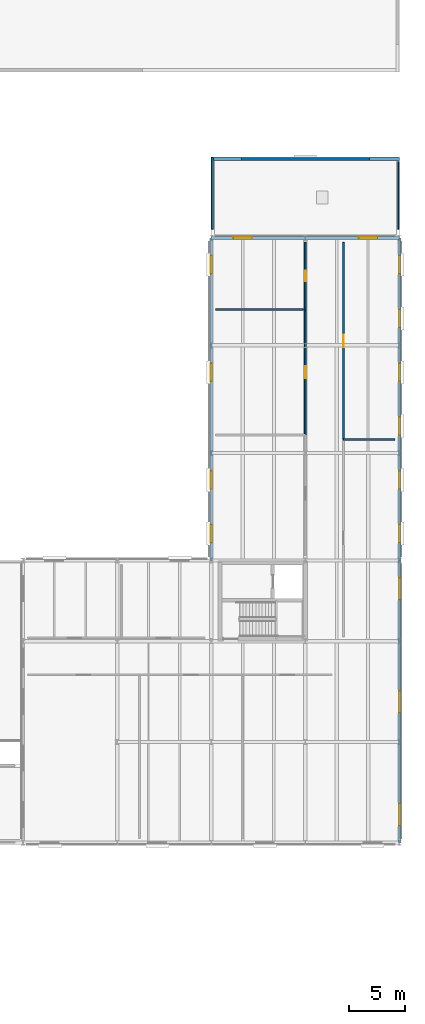
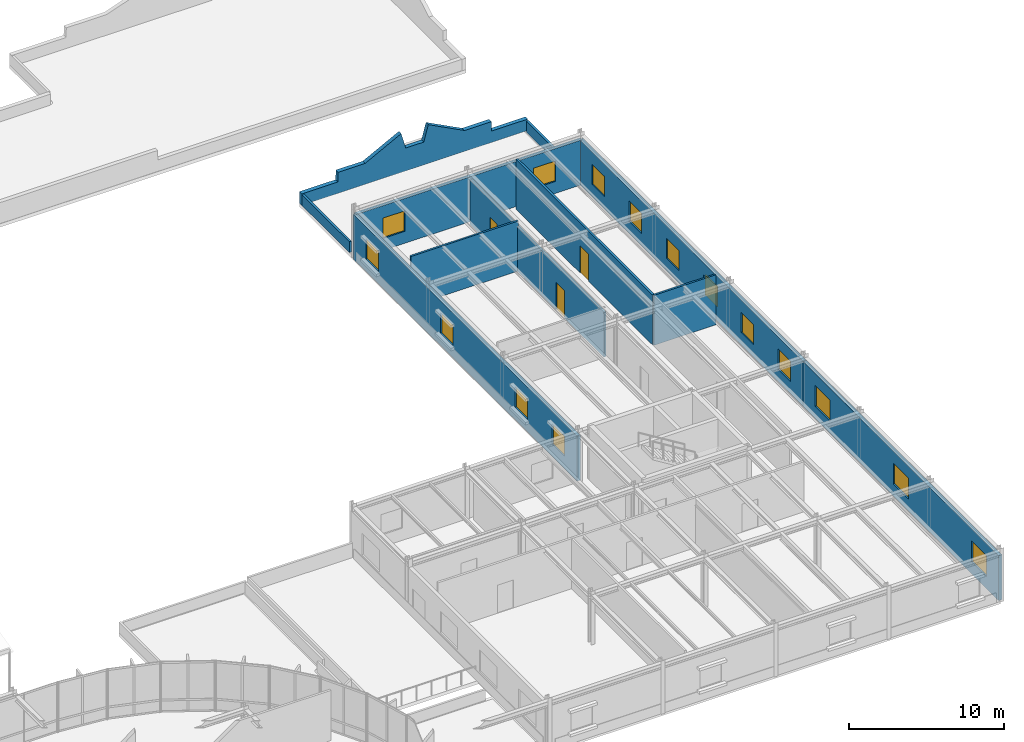
# One storey, part 58 of 69: 15 windows, 12 walls, 3 doors, 18 openings.
"""IFC4 building model written with IfcOpenShell, lengths in metres."""

import ifcopenshell
import ifcopenshell.guid

model = None  # the IFC model being written
_history = None  # IfcOwnerHistory: only IFC2X3 demands one
_inside = {}  # id of a spatial element -> (the spatial element, [elements in it])
_under = {}  # id of a project, library or spatial element -> (it, [spatial elements below it])
_declared = {}  # id of a project -> (the project, [libraries it declares])
_typed = {}  # id of a type object -> (the type object, [elements of that type])
_made_of = {}  # id of a material, layer set ... -> (it, [elements and type objects made of it])


def new_model(schema):
    """Start an empty IFC model of exactly this schema.

    Asked for "IFC4X3", IfcOpenShell would pick the latest addendum, in which some entities
    have other attributes; the version numbers below select the first issue.
    IFC2X3 requires an IfcOwnerHistory on every rooted entity: one is made here for all.
    """
    global model, _history
    if schema == "IFC4X3":
        model = ifcopenshell.file(schema_version=(4, 3, 0, 0))
    else:
        model = ifcopenshell.file(schema=schema)
    _inside.clear()
    _under.clear()
    _declared.clear()
    _typed.clear()
    _made_of.clear()
    _history = None
    if model.schema == "IFC2X3":
        org = make("IfcOrganization", Name="unknown")
        user = make(
            "IfcPersonAndOrganization",
            ThePerson=make("IfcPerson", FamilyName="unknown"),
            TheOrganization=org,
        )
        app = make(
            "IfcApplication",
            ApplicationDeveloper=org,
            Version="unknown",
            ApplicationFullName="unknown",
            ApplicationIdentifier="unknown",
        )
        _history = make(
            "IfcOwnerHistory",
            OwningUser=user,
            OwningApplication=app,
            ChangeAction="ADDED",
            CreationDate=0,
        )
    return model


def make(cls, **values):
    """One entity of the class cls with the attributes given. An attribute that is None is left unset."""
    return model.create_entity(
        cls, **{name: value for name, value in values.items() if value is not None}
    )


def rooted(cls, **values):
    """An entity with a GlobalId (a new one), such as an element, a storey or a relation."""
    return make(cls, GlobalId=ifcopenshell.guid.new(), OwnerHistory=_history, **values)


def si_unit(unit_type, name, prefix=None):
    """IfcSIUnit, for example si_unit("LENGTHUNIT", "METRE", prefix="MILLI")."""
    return make("IfcSIUnit", UnitType=unit_type, Prefix=prefix, Name=name)


def assignment(units):
    """IfcUnitAssignment: the units of a project."""
    return None if units is None else make("IfcUnitAssignment", Units=units)


def point(xyz):
    """IfcCartesianPoint."""
    return None if xyz is None else make("IfcCartesianPoint", Coordinates=xyz)


def direction(xyz):
    """IfcDirection."""
    return None if xyz is None else make("IfcDirection", DirectionRatios=xyz)


def frame(location, z_axis=None, x_axis=None):
    """IfcAxis2Placement3D, a coordinate frame: its origin and axes. An axis left out is left unset."""
    return make(
        "IfcAxis2Placement3D",
        Location=point(location),
        Axis=direction(z_axis),
        RefDirection=direction(x_axis),
    )


def frame_2d(location, x_axis=None):
    """IfcAxis2Placement2D, a coordinate frame in the plane: its origin and x axis."""
    return make(
        "IfcAxis2Placement2D", Location=point(location), RefDirection=direction(x_axis)
    )


def origin():
    """The frame at (0, 0, 0) with its axes left unset."""
    return frame((0.0, 0.0, 0.0))


def place(relative_to, where):
    """IfcLocalPlacement: puts the frame where relative to a parent placement (None: the world)."""
    return make(
        "IfcLocalPlacement", PlacementRelTo=relative_to, RelativePlacement=where
    )


def context(
    kind, dimensions, precision=None, world=None, true_north=None, identifier=None
):
    """IfcGeometricRepresentationContext, for example the 3D "Model" context."""
    return make(
        "IfcGeometricRepresentationContext",
        ContextIdentifier=identifier,
        ContextType=kind,
        CoordinateSpaceDimension=dimensions,
        Precision=precision,
        WorldCoordinateSystem=world,
        TrueNorth=true_north,
    )


def subcontext(parent, identifier, kind, view, scale=None):
    """IfcGeometricRepresentationSubContext, for example "Body" below "Model"."""
    return make(
        "IfcGeometricRepresentationSubContext",
        ContextIdentifier=identifier,
        ContextType=kind,
        ParentContext=parent,
        TargetScale=scale,
        TargetView=view,
    )


def project(units=None, contexts=None):
    """IfcProject with its units and contexts."""
    return rooted(
        "IfcProject",
        Name="project",
        RepresentationContexts=contexts,
        UnitsInContext=assignment(units),
    )


def spatial(cls, under=None, at=None, **own):
    """A site, building, storey or space (cls), placed at a placement, below another one or the project."""
    s = rooted(cls, ObjectPlacement=at, **own)
    if under is not None:
        _under.setdefault(under.id(), (under, []))[1].append(s)
    return s


def polyline(points):
    """IfcPolyline through the points."""
    return make("IfcPolyline", Points=[point(p) for p in points])


def profile(cls, at=None, kind="AREA", **sizes):
    """A parametric profile (cls). Its sizes go by their IFC names, for example OverallWidth=200.0."""
    return make(cls, ProfileType=kind, Position=at, **sizes)


def rectangle(**sizes):
    """IfcRectangleProfileDef."""
    return profile("IfcRectangleProfileDef", **sizes)


def outline(outer, holes=None, kind="AREA"):
    """IfcArbitraryClosedProfileDef: a profile drawn as a closed curve; with holes, ...WithVoids."""
    if holes is None:
        return make("IfcArbitraryClosedProfileDef", ProfileType=kind, OuterCurve=outer)
    return make(
        "IfcArbitraryProfileDefWithVoids",
        ProfileType=kind,
        OuterCurve=outer,
        InnerCurves=holes,
    )


def extrude(swept, where, along, depth):
    """IfcExtrudedAreaSolid: the profile swept, set in the frame where, extruded along a direction by depth."""
    return make(
        "IfcExtrudedAreaSolid",
        SweptArea=swept,
        Position=where,
        ExtrudedDirection=direction(along),
        Depth=depth,
    )


def shape(context_of_items, identifier, shape_type, items):
    """IfcShapeRepresentation: the items that make up one representation, for example the "Body"."""
    return make(
        "IfcShapeRepresentation",
        ContextOfItems=context_of_items,
        RepresentationIdentifier=identifier,
        RepresentationType=shape_type,
        Items=items,
    )


def material(Name=None, Category=None):
    """IfcMaterial."""
    return make("IfcMaterial", Name=Name, Category=Category)


def layer(
    of_material, thickness, ventilated=None, Name=None, Category=None, Priority=None
):
    """IfcMaterialLayer: one layer of a wall or slab, of a material (None: an air gap)."""
    return make(
        "IfcMaterialLayer",
        Material=of_material,
        LayerThickness=thickness,
        IsVentilated=ventilated,
        Name=Name,
        Category=Category,
        Priority=Priority,
    )


def layer_set(layers, Name=None):
    """IfcMaterialLayerSet."""
    return make("IfcMaterialLayerSet", MaterialLayers=layers, LayerSetName=Name)


def made_of(thing, what):
    """Note that an element or type object is made of a material, layer set ...; save() writes the relation."""
    if what is not None:
        _made_of.setdefault(what.id(), (what, []))[1].append(thing)
    return thing


def type_object(cls, material=None, **own):
    """A type object (cls), such as IfcWallType, which elements share."""
    return made_of(rooted(cls, **own), material)


def element(
    cls,
    number,
    at=None,
    inside=None,
    cuts=None,
    type_object=None,
    material=None,
    context=None,
    identifier="Body",
    shape_type=None,
    held_by="IfcProductDefinitionShape",
    body=None,
    shapes=None,
    **own,
):
    """One element of the class cls, such as IfcWall. Its Tag is "e" and its number.

    at: its placement. inside: the storey or other place that contains it. cuts: it is an
    opening in that element (IfcRelVoidsElement). A single representation is given by context,
    identifier, shape_type and body (its items); several are given by shapes. held_by: the class
    of the entity that holds the representations. save() writes the other relations.
    """
    e = rooted(cls, Tag="e%d" % number, ObjectPlacement=at, **own)
    if body is not None:
        shapes = [shape(context, identifier, shape_type, body)]
    if shapes is not None:
        e.Representation = make(held_by, Representations=shapes)
    if inside is not None:
        _inside.setdefault(inside.id(), (inside, []))[1].append(e)
    if cuts is not None:
        rooted(
            "IfcRelVoidsElement", RelatingBuildingElement=cuts, RelatedOpeningElement=e
        )
    if type_object is not None:
        _typed.setdefault(type_object.id(), (type_object, []))[1].append(e)
    return made_of(e, material)


def fill(opening, filler):
    """IfcRelFillsElement: the door or window that sits in an opening."""
    return rooted(
        "IfcRelFillsElement",
        RelatingOpeningElement=opening,
        RelatedBuildingElement=filler,
    )


def aggregate(whole, parts):
    """IfcRelAggregates: a whole, such as a stair, and the parts it consists of."""
    return rooted("IfcRelAggregates", RelatingObject=whole, RelatedObjects=parts)


def save(model, path):
    """Write the relations noted so far, then the file.

    IfcRelAggregates (storeys below a building ...), IfcRelContainedInSpatialStructure (elements
    in a storey), IfcRelDefinesByType, IfcRelAssociatesMaterial and IfcRelDeclares: one each for
    every whole, place, type object, material and project.
    """
    for whole, parts in _under.values():
        aggregate(whole, parts)
    for where, things in _inside.values():
        rooted(
            "IfcRelContainedInSpatialStructure",
            RelatedElements=things,
            RelatingStructure=where,
        )
    for kind, things in _typed.values():
        rooted("IfcRelDefinesByType", RelatedObjects=things, RelatingType=kind)
    for what, things in _made_of.values():
        rooted("IfcRelAssociatesMaterial", RelatedObjects=things, RelatingMaterial=what)
    for by, libraries in _declared.values():
        rooted("IfcRelDeclares", RelatingContext=by, RelatedDefinitions=libraries)
    model.write(path)


model = new_model("IFC4")

# Units and contexts
model_context = context("Model", 3, precision=1e-05, world=origin(), true_north=direction((0.0, 1.0)))
body_context = subcontext(model_context, "Body", "Model", "MODEL_VIEW")
ifc_project = project(units=[si_unit("LENGTHUNIT", "METRE"), si_unit("AREAUNIT", "SQUARE_METRE"), si_unit("VOLUMEUNIT", "CUBIC_METRE"), si_unit("PLANEANGLEUNIT", "RADIAN"), si_unit("MASSUNIT", "GRAM", prefix="KILO")], contexts=[model_context])

# Site, building, storey
site_placement = place(None, origin())
site = spatial("IfcSite", under=ifc_project, at=site_placement, CompositionType="ELEMENT")
building_placement = place(site_placement, origin())
building = spatial("IfcBuilding", under=site, at=building_placement, Name="Montealbar Specialist Clinic", CompositionType="ELEMENT")
storey_placement = place(building_placement, frame((0.0, 0.0, 9.60009765625)))
storey = spatial("IfcBuildingStorey", under=building, at=storey_placement, Name="L02", CompositionType="ELEMENT", Elevation=9.60009765625)

# Wall, openings, windows
ifc_material_1 = material(Name="Terracotta architectural cladding", Category="masonry")
ifc_layer_1 = layer(ifc_material_1, 0.260009765625, Name="Terracotta architectural cladding", Category="masonry")
ifc_layer_set_1 = layer_set([ifc_layer_1], Name="Terracotta architectural cladding")
wall_type_1 = type_object("IfcWallType", Name="WL-EXT-TERRA-260", PredefinedType="SOLIDWALL", material=ifc_layer_set_1)
wall_1_placement = place(storey_placement, frame((145.199951171875, 52.199951171875, 0.0), z_axis=(0.0, 0.0, 1.0), x_axis=(0.0, 1.0, 0.0)))
wall_1 = element("IfcWall", 1, at=wall_1_placement, inside=storey, type_object=wall_type_1, Name="Exterior Facade Wall EW-L02-049", PredefinedType="SOLIDWALL", context=body_context, shape_type="SweptSolid", body=[
    extrude(rectangle(XDim=28.800048828125, YDim=0.260009765625, at=frame_2d((14.39990234375, 0.0))), origin(), (0.0, 0.0, 1.0), 3.52978515625),
])
opening_1_placement = place(wall_1_placement, frame((1.60009765625, 0.0, 0.965087890625)))
opening_1 = element("IfcOpeningElement", 2, at=opening_1_placement, cuts=wall_1, Name="Opening WN-19", PredefinedType="OPENING", context=body_context, shape_type="SweptSolid", body=[
    extrude(rectangle(XDim=1.60009765625, YDim=1.60009765625, at=frame_2d((0.800048828125, 0.800048828125))), frame((0.0, 0.139892578125, 0.0), z_axis=(0.0, -1.0, 0.0), x_axis=(1.0, 0.0, 0.0)), (0.0, 0.0, 1.0), 0.280029296875),
])
opening_2_placement = place(wall_1_placement, frame((6.39990234375, 0.0, 0.965087890625)))
opening_2 = element("IfcOpeningElement", 3, at=opening_2_placement, cuts=wall_1, Name="Opening WN-19", PredefinedType="OPENING", context=body_context, shape_type="SweptSolid", body=[
    extrude(rectangle(XDim=1.60009765625, YDim=1.60009765625, at=frame_2d((0.800048828125, 0.800048828125))), frame((0.0, 0.139892578125, 0.0), z_axis=(0.0, -1.0, 0.0), x_axis=(1.0, 0.0, 0.0)), (0.0, 0.0, 1.0), 0.280029296875),
])
opening_3_placement = place(wall_1_placement, frame((16.0, 0.0, 0.965087890625)))
opening_3 = element("IfcOpeningElement", 4, at=opening_3_placement, cuts=wall_1, Name="Opening WN-19", PredefinedType="OPENING", context=body_context, shape_type="SweptSolid", body=[
    extrude(rectangle(XDim=1.60009765625, YDim=1.60009765625, at=frame_2d((0.800048828125, 0.800048828125))), frame((0.0, 0.139892578125, 0.0), z_axis=(0.0, -1.0, 0.0), x_axis=(1.0, 0.0, 0.0)), (0.0, 0.0, 1.0), 0.280029296875),
])
opening_4_placement = place(wall_1_placement, frame((25.60009765625, 0.0, 0.965087890625)))
opening_4 = element("IfcOpeningElement", 5, at=opening_4_placement, cuts=wall_1, Name="Opening WN-19", PredefinedType="OPENING", context=body_context, shape_type="SweptSolid", body=[
    extrude(rectangle(XDim=1.60009765625, YDim=1.60009765625, at=frame_2d((0.800048828125, 0.800048828125))), frame((0.0, 0.139892578125, 0.0), z_axis=(0.0, -1.0, 0.0), x_axis=(1.0, 0.0, 0.0)), (0.0, 0.0, 1.0), 0.280029296875),
])
ifc_material_2 = material(Name="Low-E double glazing", Category="glass")
window_type_1 = type_object("IfcWindowType", Name="WIN-WN-19", PartitioningType="SINGLE_PANEL", PredefinedType="WINDOW", material=ifc_material_2)
window_1_placement = place(opening_1_placement, origin())
window_1 = element("IfcWindow", 6, at=window_1_placement, inside=storey, type_object=window_type_1, Name="Clinical Facade Postmodern Oculus Window WN-19 L02-0176", OverallHeight=1.60009765625, OverallWidth=1.60009765625, PartitioningType="SINGLE_PANEL", PredefinedType="WINDOW", context=body_context, shape_type="SweptSolid", body=[
    extrude(rectangle(XDim=1.60009765625, YDim=1.60009765625, at=frame_2d((0.800048828125, 0.800048828125))), frame((0.0, 0.030029296875, 0.0), z_axis=(0.0, -1.0, 0.0), x_axis=(1.0, 0.0, 0.0)), (0.0, 0.0, 1.0), 0.06005859375),
])
fill(opening_1, window_1)
window_2_placement = place(opening_2_placement, origin())
window_2 = element("IfcWindow", 7, at=window_2_placement, inside=storey, type_object=window_type_1, Name="Clinical Facade Postmodern Oculus Window WN-19 L02-0177", OverallHeight=1.60009765625, OverallWidth=1.60009765625, PartitioningType="SINGLE_PANEL", PredefinedType="WINDOW", context=body_context, shape_type="SweptSolid", body=[
    extrude(rectangle(XDim=1.60009765625, YDim=1.60009765625, at=frame_2d((0.800048828125, 0.800048828125))), frame((0.0, 0.030029296875, 0.0), z_axis=(0.0, -1.0, 0.0), x_axis=(1.0, 0.0, 0.0)), (0.0, 0.0, 1.0), 0.06005859375),
])
fill(opening_2, window_2)
window_3_placement = place(opening_3_placement, origin())
window_3 = element("IfcWindow", 8, at=window_3_placement, inside=storey, type_object=window_type_1, Name="Clinical Facade Postmodern Oculus Window WN-19 L02-0178", OverallHeight=1.60009765625, OverallWidth=1.60009765625, PartitioningType="SINGLE_PANEL", PredefinedType="WINDOW", context=body_context, shape_type="SweptSolid", body=[
    extrude(rectangle(XDim=1.60009765625, YDim=1.60009765625, at=frame_2d((0.800048828125, 0.800048828125))), frame((0.0, 0.030029296875, 0.0), z_axis=(0.0, -1.0, 0.0), x_axis=(1.0, 0.0, 0.0)), (0.0, 0.0, 1.0), 0.06005859375),
])
fill(opening_3, window_3)
window_4_placement = place(opening_4_placement, origin())
window_4 = element("IfcWindow", 9, at=window_4_placement, inside=storey, type_object=window_type_1, Name="Clinical Facade Postmodern Oculus Window WN-19 L02-0179", OverallHeight=1.60009765625, OverallWidth=1.60009765625, PartitioningType="SINGLE_PANEL", PredefinedType="WINDOW", context=body_context, shape_type="SweptSolid", body=[
    extrude(rectangle(XDim=1.60009765625, YDim=1.60009765625, at=frame_2d((0.800048828125, 0.800048828125))), frame((0.0, 0.030029296875, 0.0), z_axis=(0.0, -1.0, 0.0), x_axis=(1.0, 0.0, 0.0)), (0.0, 0.0, 1.0), 0.06005859375),
])
fill(opening_4, window_4)

wall_2_placement = place(storey_placement, frame((145.199951171875, 81.0, 0.0), z_axis=(0.0, 0.0, 1.0), x_axis=(1.0, 0.0, 0.0)))
wall_2 = element("IfcWall", 10, at=wall_2_placement, inside=storey, type_object=wall_type_1, Name="Exterior Facade Wall EW-L02-050", PredefinedType="SOLIDWALL", context=body_context, shape_type="SweptSolid", body=[
    extrude(rectangle(XDim=16.800048828125, YDim=0.260009765625, at=frame_2d((8.39990234375, 0.0))), origin(), (0.0, 0.0, 1.0), 3.52978515625),
])
opening_5_placement = place(wall_2_placement, frame((1.97509765625, 0.0, 0.949951171875)))
opening_5 = element("IfcOpeningElement", 11, at=opening_5_placement, cuts=wall_2, Name="Opening WN-04", PredefinedType="OPENING", context=body_context, shape_type="SweptSolid", body=[
    extrude(rectangle(XDim=1.64990234375, YDim=1.60009765625, at=frame_2d((0.824951171875, 0.800048828125))), frame((0.0, 0.139892578125, 0.0), z_axis=(0.0, -1.0, 0.0), x_axis=(1.0, 0.0, 0.0)), (0.0, 0.0, 1.0), 0.280029296875),
])
opening_6_placement = place(wall_2_placement, frame((13.175048828125, 0.0, 0.949951171875)))
opening_6 = element("IfcOpeningElement", 12, at=opening_6_placement, cuts=wall_2, Name="Opening WN-04", PredefinedType="OPENING", context=body_context, shape_type="SweptSolid", body=[
    extrude(rectangle(XDim=1.64990234375, YDim=1.60009765625, at=frame_2d((0.824951171875, 0.800048828125))), frame((0.0, 0.139892578125, 0.0), z_axis=(0.0, -1.0, 0.0), x_axis=(1.0, 0.0, 0.0)), (0.0, 0.0, 1.0), 0.280029296875),
])
window_type_2 = type_object("IfcWindowType", Name="WIN-WN-04", PartitioningType="SINGLE_PANEL", PredefinedType="WINDOW", material=ifc_material_2)
window_5_placement = place(opening_5_placement, origin())
window_5 = element("IfcWindow", 13, at=window_5_placement, inside=storey, type_object=window_type_2, Name="Clinical Facade Window WN-04 L02-0180", OverallHeight=1.60009765625, OverallWidth=1.64990234375, PartitioningType="SINGLE_PANEL", PredefinedType="WINDOW", context=body_context, shape_type="SweptSolid", body=[
    extrude(rectangle(XDim=1.64990234375, YDim=1.60009765625, at=frame_2d((0.824951171875, 0.800048828125))), frame((0.0, 0.030029296875, 0.0), z_axis=(0.0, -1.0, 0.0), x_axis=(1.0, 0.0, 0.0)), (0.0, 0.0, 1.0), 0.06005859375),
])
fill(opening_5, window_5)
window_6_placement = place(opening_6_placement, origin())
window_6 = element("IfcWindow", 14, at=window_6_placement, inside=storey, type_object=window_type_2, Name="Clinical Facade Window WN-04 L02-0181", OverallHeight=1.60009765625, OverallWidth=1.64990234375, PartitioningType="SINGLE_PANEL", PredefinedType="WINDOW", context=body_context, shape_type="SweptSolid", body=[
    extrude(rectangle(XDim=1.64990234375, YDim=1.60009765625, at=frame_2d((0.824951171875, 0.800048828125))), frame((0.0, 0.030029296875, 0.0), z_axis=(0.0, -1.0, 0.0), x_axis=(1.0, 0.0, 0.0)), (0.0, 0.0, 1.0), 0.06005859375),
])
fill(opening_6, window_6)

wall_3_placement = place(storey_placement, frame((162.0, 81.0, 0.0), z_axis=(0.0, 0.0, 1.0), x_axis=(0.0, -1.0, 0.0)))
wall_3 = element("IfcWall", 15, at=wall_3_placement, inside=storey, type_object=wall_type_1, Name="Exterior Facade Wall EW-L02-051", PredefinedType="SOLIDWALL", context=body_context, shape_type="SweptSolid", body=[
    extrude(rectangle(XDim=28.800048828125, YDim=0.260009765625, at=frame_2d((14.39990234375, 0.0))), origin(), (0.0, 0.0, 1.0), 3.52978515625),
])
opening_7_placement = place(wall_3_placement, frame((1.60009765625, 0.0, 0.965087890625)))
opening_7 = element("IfcOpeningElement", 16, at=opening_7_placement, cuts=wall_3, Name="Opening WN-19", PredefinedType="OPENING", context=body_context, shape_type="SweptSolid", body=[
    extrude(rectangle(XDim=1.60009765625, YDim=1.60009765625, at=frame_2d((0.800048828125, 0.800048828125))), frame((0.0, 0.139892578125, 0.0), z_axis=(0.0, -1.0, 0.0), x_axis=(1.0, 0.0, 0.0)), (0.0, 0.0, 1.0), 0.280029296875),
])
opening_8_placement = place(wall_3_placement, frame((6.39990234375, 0.0, 0.965087890625)))
opening_8 = element("IfcOpeningElement", 17, at=opening_8_placement, cuts=wall_3, Name="Opening WN-19", PredefinedType="OPENING", context=body_context, shape_type="SweptSolid", body=[
    extrude(rectangle(XDim=1.60009765625, YDim=1.60009765625, at=frame_2d((0.800048828125, 0.800048828125))), frame((0.0, 0.139892578125, 0.0), z_axis=(0.0, -1.0, 0.0), x_axis=(1.0, 0.0, 0.0)), (0.0, 0.0, 1.0), 0.280029296875),
])
opening_9_placement = place(wall_3_placement, frame((11.199951171875, 0.0, 0.965087890625)))
opening_9 = element("IfcOpeningElement", 18, at=opening_9_placement, cuts=wall_3, Name="Opening WN-19", PredefinedType="OPENING", context=body_context, shape_type="SweptSolid", body=[
    extrude(rectangle(XDim=1.60009765625, YDim=1.60009765625, at=frame_2d((0.800048828125, 0.800048828125))), frame((0.0, 0.139892578125, 0.0), z_axis=(0.0, -1.0, 0.0), x_axis=(1.0, 0.0, 0.0)), (0.0, 0.0, 1.0), 0.280029296875),
])
opening_10_placement = place(wall_3_placement, frame((16.0, 0.0, 0.965087890625)))
opening_10 = element("IfcOpeningElement", 19, at=opening_10_placement, cuts=wall_3, Name="Opening WN-19", PredefinedType="OPENING", context=body_context, shape_type="SweptSolid", body=[
    extrude(rectangle(XDim=1.60009765625, YDim=1.60009765625, at=frame_2d((0.800048828125, 0.800048828125))), frame((0.0, 0.139892578125, 0.0), z_axis=(0.0, -1.0, 0.0), x_axis=(1.0, 0.0, 0.0)), (0.0, 0.0, 1.0), 0.280029296875),
])
opening_11_placement = place(wall_3_placement, frame((20.800048828125, 0.0, 0.965087890625)))
opening_11 = element("IfcOpeningElement", 20, at=opening_11_placement, cuts=wall_3, Name="Opening WN-19", PredefinedType="OPENING", context=body_context, shape_type="SweptSolid", body=[
    extrude(rectangle(XDim=1.60009765625, YDim=1.60009765625, at=frame_2d((0.800048828125, 0.800048828125))), frame((0.0, 0.139892578125, 0.0), z_axis=(0.0, -1.0, 0.0), x_axis=(1.0, 0.0, 0.0)), (0.0, 0.0, 1.0), 0.280029296875),
])
opening_12_placement = place(wall_3_placement, frame((25.60009765625, 0.0, 0.965087890625)))
opening_12 = element("IfcOpeningElement", 21, at=opening_12_placement, cuts=wall_3, Name="Opening WN-19", PredefinedType="OPENING", context=body_context, shape_type="SweptSolid", body=[
    extrude(rectangle(XDim=1.60009765625, YDim=1.60009765625, at=frame_2d((0.800048828125, 0.800048828125))), frame((0.0, 0.139892578125, 0.0), z_axis=(0.0, -1.0, 0.0), x_axis=(1.0, 0.0, 0.0)), (0.0, 0.0, 1.0), 0.280029296875),
])
window_7_placement = place(opening_7_placement, origin())
window_7 = element("IfcWindow", 22, at=window_7_placement, inside=storey, type_object=window_type_1, Name="Clinical Facade Postmodern Oculus Window WN-19 L02-0182", OverallHeight=1.60009765625, OverallWidth=1.60009765625, PartitioningType="SINGLE_PANEL", PredefinedType="WINDOW", context=body_context, shape_type="SweptSolid", body=[
    extrude(rectangle(XDim=1.60009765625, YDim=1.60009765625, at=frame_2d((0.800048828125, 0.800048828125))), frame((0.0, 0.030029296875, 0.0), z_axis=(0.0, -1.0, 0.0), x_axis=(1.0, 0.0, 0.0)), (0.0, 0.0, 1.0), 0.06005859375),
])
fill(opening_7, window_7)
window_8_placement = place(opening_8_placement, origin())
window_8 = element("IfcWindow", 23, at=window_8_placement, inside=storey, type_object=window_type_1, Name="Clinical Facade Postmodern Oculus Window WN-19 L02-0183", OverallHeight=1.60009765625, OverallWidth=1.60009765625, PartitioningType="SINGLE_PANEL", PredefinedType="WINDOW", context=body_context, shape_type="SweptSolid", body=[
    extrude(rectangle(XDim=1.60009765625, YDim=1.60009765625, at=frame_2d((0.800048828125, 0.800048828125))), frame((0.0, 0.030029296875, 0.0), z_axis=(0.0, -1.0, 0.0), x_axis=(1.0, 0.0, 0.0)), (0.0, 0.0, 1.0), 0.06005859375),
])
fill(opening_8, window_8)
window_9_placement = place(opening_9_placement, origin())
window_9 = element("IfcWindow", 24, at=window_9_placement, inside=storey, type_object=window_type_1, Name="Clinical Facade Postmodern Oculus Window WN-19 L02-0184", OverallHeight=1.60009765625, OverallWidth=1.60009765625, PartitioningType="SINGLE_PANEL", PredefinedType="WINDOW", context=body_context, shape_type="SweptSolid", body=[
    extrude(rectangle(XDim=1.60009765625, YDim=1.60009765625, at=frame_2d((0.800048828125, 0.800048828125))), frame((0.0, 0.030029296875, 0.0), z_axis=(0.0, -1.0, 0.0), x_axis=(1.0, 0.0, 0.0)), (0.0, 0.0, 1.0), 0.06005859375),
])
fill(opening_9, window_9)
window_10_placement = place(opening_10_placement, origin())
window_10 = element("IfcWindow", 25, at=window_10_placement, inside=storey, type_object=window_type_1, Name="Clinical Facade Postmodern Oculus Window WN-19 L02-0185", OverallHeight=1.60009765625, OverallWidth=1.60009765625, PartitioningType="SINGLE_PANEL", PredefinedType="WINDOW", context=body_context, shape_type="SweptSolid", body=[
    extrude(rectangle(XDim=1.60009765625, YDim=1.60009765625, at=frame_2d((0.800048828125, 0.800048828125))), frame((0.0, 0.030029296875, 0.0), z_axis=(0.0, -1.0, 0.0), x_axis=(1.0, 0.0, 0.0)), (0.0, 0.0, 1.0), 0.06005859375),
])
fill(opening_10, window_10)
window_11_placement = place(opening_11_placement, origin())
window_11 = element("IfcWindow", 26, at=window_11_placement, inside=storey, type_object=window_type_1, Name="Clinical Facade Postmodern Oculus Window WN-19 L02-0186", OverallHeight=1.60009765625, OverallWidth=1.60009765625, PartitioningType="SINGLE_PANEL", PredefinedType="WINDOW", context=body_context, shape_type="SweptSolid", body=[
    extrude(rectangle(XDim=1.60009765625, YDim=1.60009765625, at=frame_2d((0.800048828125, 0.800048828125))), frame((0.0, 0.030029296875, 0.0), z_axis=(0.0, -1.0, 0.0), x_axis=(1.0, 0.0, 0.0)), (0.0, 0.0, 1.0), 0.06005859375),
])
fill(opening_11, window_11)
window_12_placement = place(opening_12_placement, origin())
window_12 = element("IfcWindow", 27, at=window_12_placement, inside=storey, type_object=window_type_1, Name="Clinical Facade Postmodern Oculus Window WN-19 L02-0187", OverallHeight=1.60009765625, OverallWidth=1.60009765625, PartitioningType="SINGLE_PANEL", PredefinedType="WINDOW", context=body_context, shape_type="SweptSolid", body=[
    extrude(rectangle(XDim=1.60009765625, YDim=1.60009765625, at=frame_2d((0.800048828125, 0.800048828125))), frame((0.0, 0.030029296875, 0.0), z_axis=(0.0, -1.0, 0.0), x_axis=(1.0, 0.0, 0.0)), (0.0, 0.0, 1.0), 0.06005859375),
])
fill(opening_12, window_12)

wall_4_placement = place(storey_placement, frame((162.0, 52.199951171875, 0.0), z_axis=(0.0, 0.0, 1.0), x_axis=(0.0, -1.0, 0.0)))
wall_4 = element("IfcWall", 28, at=wall_4_placement, inside=storey, type_object=wall_type_1, Name="Exterior Facade Wall EW-L02-052", PredefinedType="SOLIDWALL", context=body_context, shape_type="SweptSolid", body=[
    extrude(rectangle(XDim=25.199951171875, YDim=0.260009765625, at=frame_2d((12.60009765625, 0.0))), origin(), (0.0, 0.0, 1.0), 3.52978515625),
])
opening_13_placement = place(wall_4_placement, frame((1.544921875, 0.0, 0.949951171875)))
opening_13 = element("IfcOpeningElement", 29, at=opening_13_placement, cuts=wall_4, Name="Opening WN-06", PredefinedType="OPENING", context=body_context, shape_type="SweptSolid", body=[
    extrude(rectangle(XDim=1.949951171875, YDim=1.64990234375, at=frame_2d((0.97509765625, 0.824951171875))), frame((0.0, 0.139892578125, 0.0), z_axis=(0.0, -1.0, 0.0), x_axis=(1.0, 0.0, 0.0)), (0.0, 0.0, 1.0), 0.280029296875),
])
opening_14_placement = place(wall_4_placement, frame((11.625, 0.0, 0.949951171875)))
opening_14 = element("IfcOpeningElement", 30, at=opening_14_placement, cuts=wall_4, Name="Opening WN-06", PredefinedType="OPENING", context=body_context, shape_type="SweptSolid", body=[
    extrude(rectangle(XDim=1.949951171875, YDim=1.64990234375, at=frame_2d((0.97509765625, 0.824951171875))), frame((0.0, 0.139892578125, 0.0), z_axis=(0.0, -1.0, 0.0), x_axis=(1.0, 0.0, 0.0)), (0.0, 0.0, 1.0), 0.280029296875),
])
opening_15_placement = place(wall_4_placement, frame((21.705078125, 0.0, 0.949951171875)))
opening_15 = element("IfcOpeningElement", 31, at=opening_15_placement, cuts=wall_4, Name="Opening WN-06", PredefinedType="OPENING", context=body_context, shape_type="SweptSolid", body=[
    extrude(rectangle(XDim=1.949951171875, YDim=1.64990234375, at=frame_2d((0.97509765625, 0.824951171875))), frame((0.0, 0.139892578125, 0.0), z_axis=(0.0, -1.0, 0.0), x_axis=(1.0, 0.0, 0.0)), (0.0, 0.0, 1.0), 0.280029296875),
])
window_type_3 = type_object("IfcWindowType", Name="WIN-WN-06", PartitioningType="SINGLE_PANEL", PredefinedType="WINDOW", material=ifc_material_2)
window_13_placement = place(opening_13_placement, origin())
window_13 = element("IfcWindow", 32, at=window_13_placement, inside=storey, type_object=window_type_3, Name="Clinical Facade Window WN-06 L02-0188", OverallHeight=1.64990234375, OverallWidth=1.949951171875, PartitioningType="SINGLE_PANEL", PredefinedType="WINDOW", context=body_context, shape_type="SweptSolid", body=[
    extrude(rectangle(XDim=1.949951171875, YDim=1.64990234375, at=frame_2d((0.97509765625, 0.824951171875))), frame((0.0, 0.030029296875, 0.0), z_axis=(0.0, -1.0, 0.0), x_axis=(1.0, 0.0, 0.0)), (0.0, 0.0, 1.0), 0.06005859375),
])
fill(opening_13, window_13)
window_14_placement = place(opening_14_placement, origin())
window_14 = element("IfcWindow", 33, at=window_14_placement, inside=storey, type_object=window_type_3, Name="Clinical Facade Window WN-06 L02-0189", OverallHeight=1.64990234375, OverallWidth=1.949951171875, PartitioningType="SINGLE_PANEL", PredefinedType="WINDOW", context=body_context, shape_type="SweptSolid", body=[
    extrude(rectangle(XDim=1.949951171875, YDim=1.64990234375, at=frame_2d((0.97509765625, 0.824951171875))), frame((0.0, 0.030029296875, 0.0), z_axis=(0.0, -1.0, 0.0), x_axis=(1.0, 0.0, 0.0)), (0.0, 0.0, 1.0), 0.06005859375),
])
fill(opening_14, window_14)
window_15_placement = place(opening_15_placement, origin())
window_15 = element("IfcWindow", 34, at=window_15_placement, inside=storey, type_object=window_type_3, Name="Clinical Facade Window WN-06 L02-0190", OverallHeight=1.64990234375, OverallWidth=1.949951171875, PartitioningType="SINGLE_PANEL", PredefinedType="WINDOW", context=body_context, shape_type="SweptSolid", body=[
    extrude(rectangle(XDim=1.949951171875, YDim=1.64990234375, at=frame_2d((0.97509765625, 0.824951171875))), frame((0.0, 0.030029296875, 0.0), z_axis=(0.0, -1.0, 0.0), x_axis=(1.0, 0.0, 0.0)), (0.0, 0.0, 1.0), 0.06005859375),
])
fill(opening_15, window_15)

# Walls
ifc_material_3 = material(Name="Guadarrama granite ashlar", Category="masonry")
ifc_layer_2 = layer(ifc_material_3, 0.159912109375, Name="Guadarrama granite ashlar", Category="masonry")
ifc_layer_set_2 = layer_set([ifc_layer_2], Name="Guadarrama granite ashlar")
wall_type_2 = type_object("IfcWallType", Name="WL-PARAPET-160", PredefinedType="PARAPET", material=ifc_layer_set_2)
wall_5_placement = place(storey_placement, frame((145.280029296875, 81.75, 0.0), z_axis=(0.0, 0.0, 1.0), x_axis=(0.0, 1.0, 0.0)))
element("IfcWall", 35, at=wall_5_placement, inside=storey, type_object=wall_type_2, Name="Roof Parapet L02-019", PredefinedType="PARAPET", context=body_context, shape_type="SweptSolid", body=[
    extrude(rectangle(XDim=6.449951171875, YDim=0.159912109375, at=frame_2d((3.22509765625, 0.0))), origin(), (0.0, 0.0, 1.0), 0.849853515625),
])
wall_6_placement = place(storey_placement, frame((161.919921875, 87.784912109375, 0.0), z_axis=(0.0, 0.0, 1.0), x_axis=(0.0, -1.0, 0.0)))
element("IfcWall", 36, at=wall_6_placement, inside=storey, type_object=wall_type_2, Name="Roof Parapet L02-021", PredefinedType="PARAPET", context=body_context, shape_type="SweptSolid", body=[
    extrude(rectangle(XDim=6.034912109375, YDim=0.159912109375, at=frame_2d((3.017578125, 0.0))), origin(), (0.0, 0.0, 1.0), 0.849853515625),
])
ifc_material_4 = material(Name="Gypsum acoustic partition", Category="gypsum")
ifc_layer_3 = layer(ifc_material_4, 0.139892578125, Name="Gypsum acoustic partition", Category="gypsum")
ifc_layer_set_3 = layer_set([ifc_layer_3], Name="Gypsum acoustic partition")
wall_type_3 = type_object("IfcWallType", Name="WL-PART-ACOUSTIC-140", PredefinedType="PARTITIONING", material=ifc_layer_set_3)
wall_7_placement = place(storey_placement, frame((145.60009765625, 74.60009765625, 0.0), z_axis=(0.0, 0.0, 1.0), x_axis=(1.0, 0.0, 0.0)))
element("IfcWall", 37, at=wall_7_placement, inside=storey, type_object=wall_type_3, Name="Clinical Partition PART-L02-0160", PredefinedType="PARTITIONING", context=body_context, shape_type="SweptSolid", body=[
    extrude(rectangle(XDim=8.0, YDim=0.139892578125, at=frame_2d((4.0, 0.0))), origin(), (0.0, 0.0, 1.0), 3.929931640625),
])
wall_8_placement = place(storey_placement, frame((157.0, 63.0, 0.0), z_axis=(0.0, 0.0, 1.0), x_axis=(1.0, 0.0, 0.0)))
element("IfcWall", 38, at=wall_8_placement, inside=storey, type_object=wall_type_3, Name="Clinical Partition PART-L02-0163", PredefinedType="PARTITIONING", context=body_context, shape_type="SweptSolid", body=[
    extrude(rectangle(XDim=4.60009765625, YDim=0.139892578125, at=frame_2d((2.300048828125, 0.0))), origin(), (0.0, 0.0, 1.0), 3.929931640625),
])

# Wall, opening, door
ifc_layer_4 = layer(ifc_material_4, 0.159912109375, Name="Gypsum acoustic partition", Category="gypsum")
ifc_layer_set_4 = layer_set([ifc_layer_4], Name="Gypsum acoustic partition")
wall_type_4 = type_object("IfcWallType", Name="WL-PART-CLINIC-160", PredefinedType="PARTITIONING", material=ifc_layer_set_4)
wall_9_placement = place(storey_placement, frame((153.60009765625, 63.39990234375, 0.0), z_axis=(0.0, 0.0, 1.0), x_axis=(0.0, 1.0, 0.0)))
wall_9 = element("IfcWall", 39, at=wall_9_placement, inside=storey, type_object=wall_type_4, Name="Clinical Partition PART-L02-0159", PredefinedType="PARTITIONING", context=body_context, shape_type="SweptSolid", body=[
    extrude(rectangle(XDim=11.2001953125, YDim=0.159912109375, at=frame_2d((5.60009765625, 0.0))), origin(), (0.0, 0.0, 1.0), 3.52978515625),
])
opening_16_placement = place(wall_9_placement, frame((5.050048828125, 0.0, 0.0)))
opening_16 = element("IfcOpeningElement", 40, at=opening_16_placement, cuts=wall_9, Name="Opening ID-110", PredefinedType="OPENING", context=body_context, shape_type="SweptSolid", body=[
    extrude(rectangle(XDim=1.10009765625, YDim=2.14990234375, at=frame_2d((0.550048828125, 1.074951171875))), frame((0.0, 0.08984375, 0.0), z_axis=(0.0, -1.0, 0.0), x_axis=(1.0, 0.0, 0.0)), (0.0, 0.0, 1.0), 0.179931640625),
])
ifc_material_5 = material(Name="Acoustic timber leaf", Category="wood")
door_type_1 = type_object("IfcDoorType", Name="DR-CLIN-W1100", OperationType="NOTDEFINED", PredefinedType="DOOR", material=ifc_material_5)
door_1_placement = place(opening_16_placement, frame((1.10009765625, 0.0, 0.0), z_axis=(0.0, 0.0, 1.0), x_axis=(-1.0, 0.0, 0.0)))
door_1 = element("IfcDoor", 41, at=door_1_placement, inside=storey, type_object=door_type_1, Name="Clinical Room Door IDR-L02-0103", OperationType="SINGLE_SWING_RIGHT", OverallHeight=2.14990234375, OverallWidth=1.10009765625, PredefinedType="DOOR", context=body_context, shape_type="SweptSolid", body=[
    extrude(rectangle(XDim=1.10009765625, YDim=2.14990234375, at=frame_2d((0.550048828125, 1.074951171875))), frame((0.0, 0.02490234375, 0.0), z_axis=(0.0, -1.0, 0.0), x_axis=(1.0, 0.0, 0.0)), (0.0, 0.0, 1.0), 0.050048828125),
])
fill(opening_16, door_1)

wall_10_placement = place(storey_placement, frame((153.60009765625, 74.60009765625, 0.0), z_axis=(0.0, 0.0, 1.0), x_axis=(0.0, 1.0, 0.0)))
wall_10 = element("IfcWall", 42, at=wall_10_placement, inside=storey, type_object=wall_type_4, Name="Clinical Partition PART-L02-0161", PredefinedType="PARTITIONING", context=body_context, shape_type="SweptSolid", body=[
    extrude(rectangle(XDim=6.0, YDim=0.159912109375, at=frame_2d((3.0, 0.0))), origin(), (0.0, 0.0, 1.0), 3.52978515625),
])
opening_17_placement = place(wall_10_placement, frame((2.52490234375, 0.0, 0.0)))
opening_17 = element("IfcOpeningElement", 43, at=opening_17_placement, cuts=wall_10, Name="Opening ID-095", PredefinedType="OPENING", context=body_context, shape_type="SweptSolid", body=[
    extrude(rectangle(XDim=0.949951171875, YDim=2.10009765625, at=frame_2d((0.47509765625, 1.050048828125))), frame((0.0, 0.08984375, 0.0), z_axis=(0.0, -1.0, 0.0), x_axis=(1.0, 0.0, 0.0)), (0.0, 0.0, 1.0), 0.179931640625),
])
door_type_2 = type_object("IfcDoorType", Name="DR-WC-W0950", OperationType="NOTDEFINED", PredefinedType="DOOR", material=ifc_material_5)
door_2_placement = place(opening_17_placement, frame((0.949951171875, 0.0, 0.0), z_axis=(0.0, 0.0, 1.0), x_axis=(-1.0, 0.0, 0.0)))
door_2 = element("IfcDoor", 44, at=door_2_placement, inside=storey, type_object=door_type_2, Name="Clinical Room Door IDR-L02-0104", OperationType="SINGLE_SWING_LEFT", OverallHeight=2.10009765625, OverallWidth=0.949951171875, PredefinedType="DOOR", context=body_context, shape_type="SweptSolid", body=[
    extrude(rectangle(XDim=0.949951171875, YDim=2.10009765625, at=frame_2d((0.47509765625, 1.050048828125))), frame((0.0, 0.02490234375, 0.0), z_axis=(0.0, -1.0, 0.0), x_axis=(1.0, 0.0, 0.0)), (0.0, 0.0, 1.0), 0.050048828125),
])
fill(opening_17, door_2)

wall_11_placement = place(storey_placement, frame((157.0, 63.0, 0.0), z_axis=(0.0, 0.0, 1.0), x_axis=(0.0, 1.0, 0.0)))
wall_11 = element("IfcWall", 45, at=wall_11_placement, inside=storey, type_object=wall_type_4, Name="Clinical Partition PART-L02-0164", PredefinedType="PARTITIONING", context=body_context, shape_type="SweptSolid", body=[
    extrude(rectangle(XDim=17.60009765625, YDim=0.159912109375, at=frame_2d((8.800048828125, 0.0))), origin(), (0.0, 0.0, 1.0), 3.929931640625),
])
opening_18_placement = place(wall_11_placement, frame((8.25, 0.0, 0.0)))
opening_18 = element("IfcOpeningElement", 46, at=opening_18_placement, cuts=wall_11, Name="Opening ID-110", PredefinedType="OPENING", context=body_context, shape_type="SweptSolid", body=[
    extrude(rectangle(XDim=1.10009765625, YDim=2.14990234375, at=frame_2d((0.550048828125, 1.074951171875))), frame((0.0, 0.08984375, 0.0), z_axis=(0.0, -1.0, 0.0), x_axis=(1.0, 0.0, 0.0)), (0.0, 0.0, 1.0), 0.179931640625),
])
door_3_placement = place(opening_18_placement, origin())
door_3 = element("IfcDoor", 47, at=door_3_placement, inside=storey, type_object=door_type_1, Name="Clinical Room Door IDR-L02-0106", OperationType="SINGLE_SWING_LEFT", OverallHeight=2.14990234375, OverallWidth=1.10009765625, PredefinedType="DOOR", context=body_context, shape_type="SweptSolid", body=[
    extrude(rectangle(XDim=1.10009765625, YDim=2.14990234375, at=frame_2d((0.550048828125, 1.074951171875))), frame((0.0, 0.02490234375, 0.0), z_axis=(0.0, -1.0, 0.0), x_axis=(1.0, 0.0, 0.0)), (0.0, 0.0, 1.0), 0.050048828125),
])
fill(opening_18, door_3)

# Wall
ifc_layer_5 = layer(ifc_material_1, 0.300048828125, Name="Terracotta architectural cladding", Category="masonry")
ifc_layer_set_5 = layer_set([ifc_layer_5], Name="Terracotta architectural cladding")
wall_type_5 = type_object("IfcWallType", Name="WL-PEDIMENT-300", PredefinedType="PARAPET", material=ifc_layer_set_5)
wall_12_placement = place(storey_placement, frame((145.199951171875, 88.030029296875, 0.0), z_axis=(0.0, 0.0, 1.0), x_axis=(1.0, 0.0, 0.0)))
element("IfcWall", 48, at=wall_12_placement, inside=storey, type_object=wall_type_5, Name="Postmodern Broken-Pediment Gable Parapet L02-07", PredefinedType="PARAPET", context=body_context, shape_type="SweptSolid", body=[
    extrude(outline(polyline([(0.0, 0.0), (16.800048828125, 0.0), (16.800048828125, 0.89990234375), (14.112060546875, 0.89990234375), (14.092041015625, 1.64990234375), (12.095947265625, 1.64990234375), (9.407958984375, 3.0498046875), (9.072021484375, 1.7998046875), (7.72802734375, 1.7998046875), (7.39208984375, 3.0498046875), (4.7041015625, 1.64990234375), (2.7080078125, 1.64990234375), (2.68798828125, 0.89990234375), (0.0, 0.89990234375), (0.0, 0.0)])), frame((0.0, 0.14990234375, 0.0), z_axis=(0.0, -1.0, 0.0), x_axis=(1.0, 0.0, 0.0)), (0.0, 0.0, 1.0), 0.300048828125),
])

save(model, "model.ifc")
